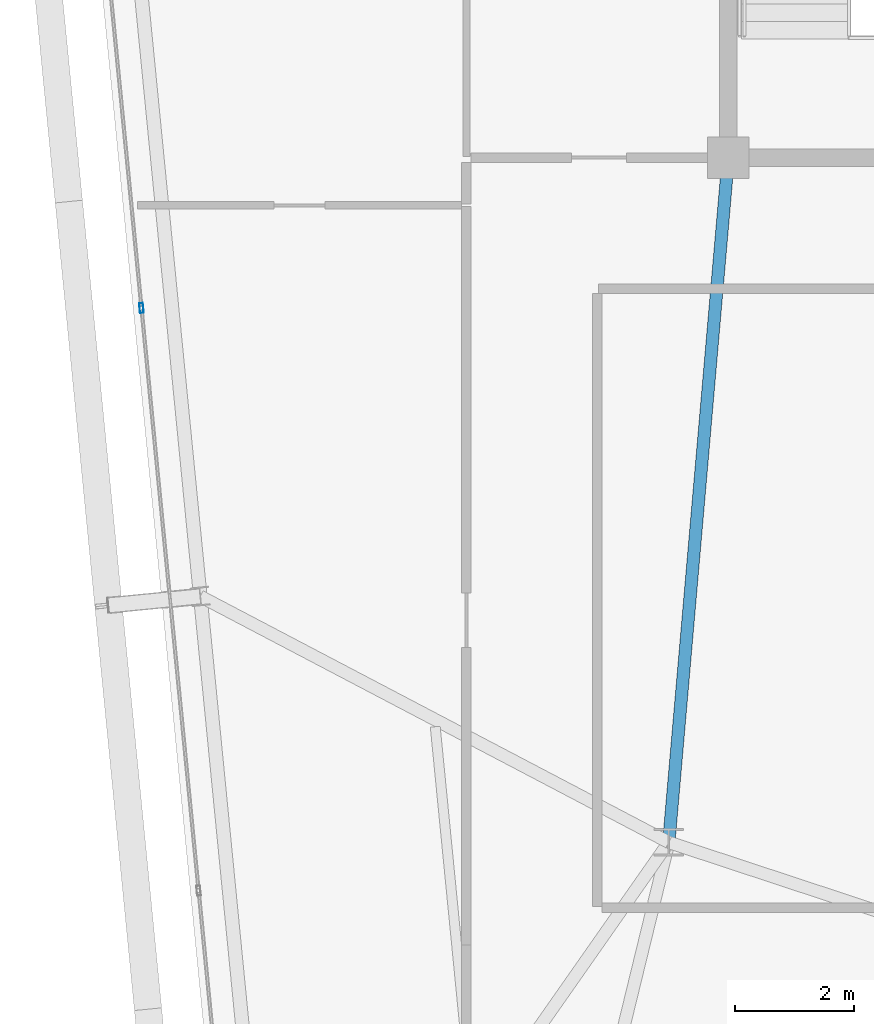
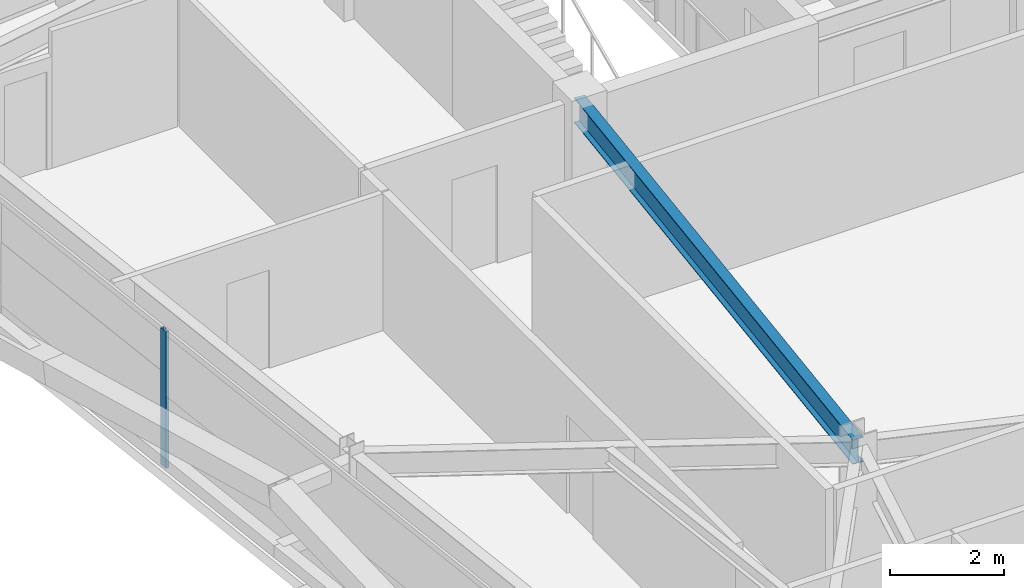
# One storey, part 13 of 47: 1 beam, 1 member, 1 element without a shape of its own.
"""IFC4 building model written with IfcOpenShell, lengths in metres."""

from ifc_helpers import new_model, si_unit, direction, frame, origin, origin_2d, place, context, subcontext, project, spatial, hollow_rectangle, i_section, extrude, source, transform, mapped, material, layer, layer_set, material_profile, profile_set, type_object, element, aggregate, save


model = new_model("IFC4")

# Units and contexts
model_context = context("Model", 3, precision=1e-05, world=origin(), true_north=direction((0.0, 1.0)))
body_context = subcontext(model_context, "Body", "Model", "MODEL_VIEW")
ifc_project = project(units=[si_unit("LENGTHUNIT", "METRE"), si_unit("AREAUNIT", "SQUARE_METRE"), si_unit("VOLUMEUNIT", "CUBIC_METRE"), si_unit("PLANEANGLEUNIT", "RADIAN"), si_unit("MASSUNIT", "GRAM", prefix="KILO")], contexts=[model_context])

# Site, building, storey
site_placement = place(None, origin())
site = spatial("IfcSite", under=ifc_project, at=site_placement, CompositionType="ELEMENT")
building_placement = place(site_placement, origin())
building = spatial("IfcBuilding", under=site, at=building_placement, Name="Taldren Reach Tower", CompositionType="ELEMENT")
storey_placement = place(building_placement, frame((0.0, 0.0, 106.050048828125)))
storey = spatial("IfcBuildingStorey", under=building, at=storey_placement, Name="L32", CompositionType="ELEMENT", Elevation=106.050048828125)

# Beam
ifc_material_1 = material(Name="Steel Gr 350 (350PLUS)", Category="steel")
ifc_material_profile_1 = material_profile(ifc_material_1, i_section(OverallWidth=0.208984375, OverallDepth=0.532958984375, WebThickness=0.01025390625, FlangeThickness=0.015625, at=origin_2d()), Name="530UB92.4")
ifc_profile_set_1 = profile_set([ifc_material_profile_1], Name="Steel Gr 350 (350PLUS)")
beam_type = type_object("IfcBeamType", Name="BM-UB530A", PredefinedType="BEAM", material=ifc_profile_set_1)
shared_shape_1 = source(origin(), body_context, "Body", "SweptSolid", [
    extrude(i_section(OverallWidth=0.208984375, OverallDepth=0.532958984375, WebThickness=0.01025390625, FlangeThickness=0.015625, at=origin_2d()), origin(), (0.0, 0.0, 1.0), 11.54345703125),
])
beam_placement = place(storey_placement, frame((19.0, 24.0, 2.663330078125), z_axis=(-0.086629616365, -0.996240588196, 0.0), x_axis=(0.996240588196, -0.086629616365, 0.0)))
element("IfcBeam", 1, at=beam_placement, inside=storey, type_object=beam_type, Name="Core-spine girder L32-SP09", PredefinedType="BEAM", context=body_context, shape_type="MappedRepresentation", body=[
    mapped(shared_shape_1, transform((0.0, 0.0, 0.0), scale=1.0)),
])

# Curtain wall, member
ifc_material_2 = material(Name="Aluminium and Low-E Glass Unitised System", Category="aluminium")
ifc_layer = layer(ifc_material_2, 0.159912109375)
ifc_layer_set = layer_set([ifc_layer], Name="Aluminium and Low-E Glass Unitised System")
curtain_wall_type = type_object("IfcCurtainWallType", Name="CW-SYS-3", PredefinedType="NOTDEFINED", material=ifc_layer_set)
curtain_wall_placement = place(storey_placement, origin())
curtain_wall = element("IfcCurtainWall", 2, at=curtain_wall_placement, inside=storey, type_object=curtain_wall_type, Name="Unitised curtain wall CW-L32-W", PredefinedType="NOTDEFINED")
ifc_material_3 = material(Name="Anodised Aluminium 6063-T6", Category="aluminium")
ifc_material_profile_2 = material_profile(ifc_material_3, hollow_rectangle(XDim=0.06494140625, YDim=0.1650390625, WallThickness=0.00390625, at=origin_2d()), Name="ALU-165x65x4RHS")
ifc_profile_set_2 = profile_set([ifc_material_profile_2], Name="Anodised Aluminium 6063-T6")
member_type = type_object("IfcMemberType", Name="CW-MUL-165", PredefinedType="MULLION", material=ifc_profile_set_2)
shared_shape_2 = source(origin(), body_context, "Body", "SweptSolid", [
    extrude(hollow_rectangle(XDim=0.06494140625, YDim=0.1650390625, WallThickness=0.00390625, at=origin_2d()), origin(), (0.0, 0.0, 1.0), 2.929931640625),
])
member_placement = place(storey_placement, frame((9.14306640625, 21.474609375, 0.0), z_axis=(0.0, 0.0, 1.0), x_axis=(0.99522741555, 0.09758274098, 0.0)))
member = element("IfcMember", 3, at=member_placement, type_object=member_type, Name="CW-3 mullion 2", PredefinedType="MULLION", context=body_context, shape_type="MappedRepresentation", body=[
    mapped(shared_shape_2, transform((0.0, 0.0, 0.0), scale=1.0)),
])
aggregate(curtain_wall, [member])

save(model, "model.ifc")
